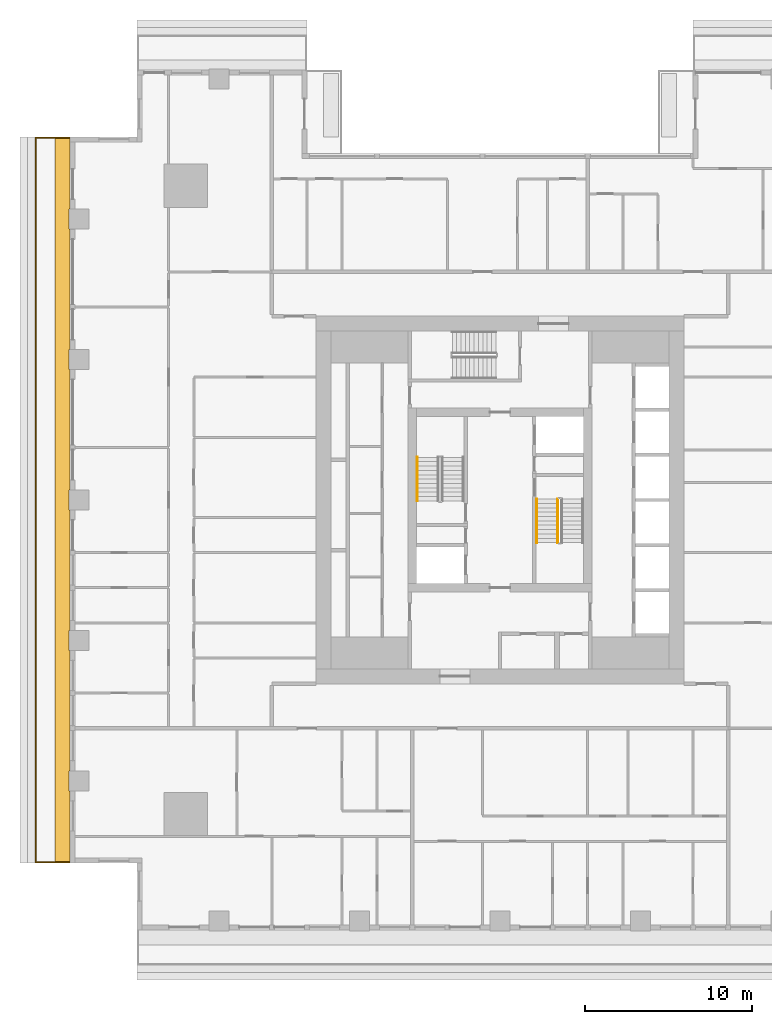
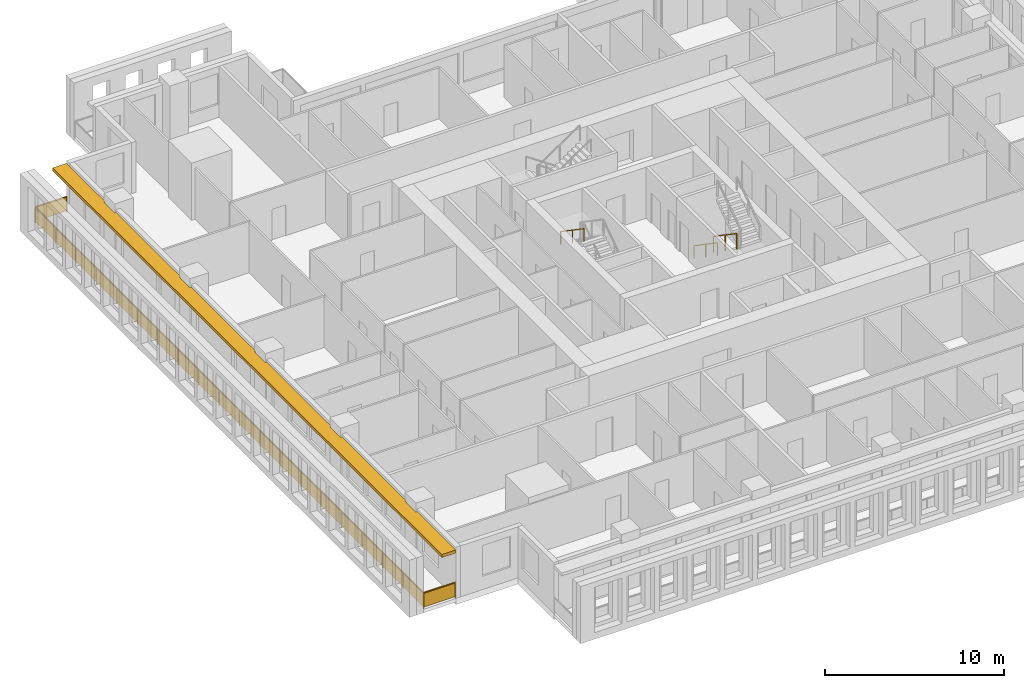
# One storey, part 11 of 15: 4 railings, 1 shading device.
"""IFC4 building model written with IfcOpenShell, lengths in metres."""

from ifc_helpers import new_model, si_unit, direction, frame, origin, origin_2d, place, context, subcontext, project, spatial, polyline, rectangle, outline, extrude, material, layer, layer_set, type_object, element, save


model = new_model("IFC4")

# Units and contexts
model_context = context("Model", 3, precision=1e-05, world=origin(), true_north=direction((0.0, 1.0)))
body_context = subcontext(model_context, "Body", "Model", "MODEL_VIEW")
ifc_project = project(units=[si_unit("LENGTHUNIT", "METRE"), si_unit("AREAUNIT", "SQUARE_METRE"), si_unit("VOLUMEUNIT", "CUBIC_METRE"), si_unit("PLANEANGLEUNIT", "RADIAN"), si_unit("MASSUNIT", "GRAM", prefix="KILO")], contexts=[model_context])

# Site, building, storey
site_placement = place(None, origin())
site = spatial("IfcSite", under=ifc_project, at=site_placement, CompositionType="ELEMENT")
building_placement = place(site_placement, origin())
building = spatial("IfcBuilding", under=site, at=building_placement, Name="Khepri Terraces", CompositionType="ELEMENT")
storey_placement = place(building_placement, frame((0.0, 0.0, 165.0)))
storey = spatial("IfcBuildingStorey", under=building, at=storey_placement, Name="L39", CompositionType="ELEMENT", Elevation=165.0)

# Railings
ifc_material_1 = material(Name="Stainless steel grade 316", Category="steel")
railing_type_1 = type_object("IfcRailingType", Name="GRD-BAL-1100", PredefinedType="GUARDRAIL", material=ifc_material_1)
railing_1_placement = place(storey_placement, frame((-25.719970703125, 21.669921875, 0.0)))
element("IfcRailing", 1, at=railing_1_placement, inside=storey, type_object=railing_type_1, Name="Balcony guard L39 W", PredefinedType="GUARDRAIL", context=body_context, shape_type="SweptSolid", body=[
    extrude(rectangle(XDim=0.050048828125, YDim=0.06005859375, at=origin_2d()), frame((0.0, 0.0, 1.070068359375), z_axis=(-1.0, 0.0, 0.0), x_axis=(0.0, -1.0, 0.0)), (0.0, 0.0, 1.0), 2.050048828125),
    extrude(rectangle(XDim=2.0, YDim=0.011962890625, at=origin_2d()), frame((-1.02490234375, 0.0, 0.10009765625), z_axis=(0.0, 0.0, 1.0), x_axis=(-1.0, 0.0, 0.0)), (0.0, 0.0, 1.0), 0.93994140625),
    extrude(rectangle(XDim=0.050048828125, YDim=0.06005859375, at=origin_2d()), frame((-2.050048828125, 0.0, 1.070068359375), z_axis=(0.0, -1.0, 0.0), x_axis=(1.0, 0.0, 0.0)), (0.0, 0.0, 1.0), 43.33984375),
    extrude(rectangle(XDim=2.23095703125, YDim=0.011962890625, at=origin_2d()), frame((-2.050048828125, -1.140625, 0.10009765625), z_axis=(0.0, 0.0, 1.0), x_axis=(0.0, -1.0, 0.0)), (0.0, 0.0, 1.0), 0.93994140625),
    extrude(rectangle(XDim=2.23095703125, YDim=0.011962890625, at=origin_2d()), frame((-2.050048828125, -3.421630859375, 0.10009765625), z_axis=(0.0, 0.0, 1.0), x_axis=(0.0, -1.0, 0.0)), (0.0, 0.0, 1.0), 0.93994140625),
    extrude(rectangle(XDim=2.23095703125, YDim=0.011962890625, at=origin_2d()), frame((-2.050048828125, -5.70263671875, 0.10009765625), z_axis=(0.0, 0.0, 1.0), x_axis=(0.0, -1.0, 0.0)), (0.0, 0.0, 1.0), 0.93994140625),
    extrude(rectangle(XDim=2.23095703125, YDim=0.011962890625, at=origin_2d()), frame((-2.050048828125, -7.983642578125, 0.10009765625), z_axis=(0.0, 0.0, 1.0), x_axis=(0.0, -1.0, 0.0)), (0.0, 0.0, 1.0), 0.93994140625),
    extrude(rectangle(XDim=2.23095703125, YDim=0.011962890625, at=origin_2d()), frame((-2.050048828125, -10.2646484375, 0.10009765625), z_axis=(0.0, 0.0, 1.0), x_axis=(0.0, -1.0, 0.0)), (0.0, 0.0, 1.0), 0.93994140625),
    extrude(rectangle(XDim=2.23095703125, YDim=0.011962890625, at=origin_2d()), frame((-2.050048828125, -12.545654296875, 0.10009765625), z_axis=(0.0, 0.0, 1.0), x_axis=(0.0, -1.0, 0.0)), (0.0, 0.0, 1.0), 0.93994140625),
    extrude(rectangle(XDim=2.23095703125, YDim=0.011962890625, at=origin_2d()), frame((-2.050048828125, -14.826904296875, 0.10009765625), z_axis=(0.0, 0.0, 1.0), x_axis=(0.0, -1.0, 0.0)), (0.0, 0.0, 1.0), 0.93994140625),
    extrude(rectangle(XDim=2.23095703125, YDim=0.011962890625, at=origin_2d()), frame((-2.050048828125, -17.10791015625, 0.10009765625), z_axis=(0.0, 0.0, 1.0), x_axis=(0.0, -1.0, 0.0)), (0.0, 0.0, 1.0), 0.93994140625),
    extrude(rectangle(XDim=2.23095703125, YDim=0.011962890625, at=origin_2d()), frame((-2.050048828125, -19.388916015625, 0.10009765625), z_axis=(0.0, 0.0, 1.0), x_axis=(0.0, -1.0, 0.0)), (0.0, 0.0, 1.0), 0.93994140625),
    extrude(rectangle(XDim=2.23095703125, YDim=0.011962890625, at=origin_2d()), frame((-2.050048828125, -21.669921875, 0.10009765625), z_axis=(0.0, 0.0, 1.0), x_axis=(0.0, -1.0, 0.0)), (0.0, 0.0, 1.0), 0.93994140625),
    extrude(rectangle(XDim=2.23095703125, YDim=0.011962890625, at=origin_2d()), frame((-2.050048828125, -23.950927734375, 0.10009765625), z_axis=(0.0, 0.0, 1.0), x_axis=(0.0, -1.0, 0.0)), (0.0, 0.0, 1.0), 0.93994140625),
    extrude(rectangle(XDim=2.23095703125, YDim=0.011962890625, at=origin_2d()), frame((-2.050048828125, -26.23193359375, 0.10009765625), z_axis=(0.0, 0.0, 1.0), x_axis=(0.0, -1.0, 0.0)), (0.0, 0.0, 1.0), 0.93994140625),
    extrude(rectangle(XDim=2.23095703125, YDim=0.011962890625, at=origin_2d()), frame((-2.050048828125, -28.512939453125, 0.10009765625), z_axis=(0.0, 0.0, 1.0), x_axis=(0.0, -1.0, 0.0)), (0.0, 0.0, 1.0), 0.93994140625),
    extrude(rectangle(XDim=2.23095703125, YDim=0.011962890625, at=origin_2d()), frame((-2.050048828125, -30.794189453125, 0.10009765625), z_axis=(0.0, 0.0, 1.0), x_axis=(0.0, -1.0, 0.0)), (0.0, 0.0, 1.0), 0.93994140625),
    extrude(rectangle(XDim=2.23095703125, YDim=0.011962890625, at=origin_2d()), frame((-2.050048828125, -33.0751953125, 0.10009765625), z_axis=(0.0, 0.0, 1.0), x_axis=(0.0, -1.0, 0.0)), (0.0, 0.0, 1.0), 0.93994140625),
    extrude(rectangle(XDim=2.23095703125, YDim=0.011962890625, at=origin_2d()), frame((-2.050048828125, -35.356201171875, 0.10009765625), z_axis=(0.0, 0.0, 1.0), x_axis=(0.0, -1.0, 0.0)), (0.0, 0.0, 1.0), 0.93994140625),
    extrude(rectangle(XDim=2.23095703125, YDim=0.011962890625, at=origin_2d()), frame((-2.050048828125, -37.63720703125, 0.10009765625), z_axis=(0.0, 0.0, 1.0), x_axis=(0.0, -1.0, 0.0)), (0.0, 0.0, 1.0), 0.93994140625),
    extrude(rectangle(XDim=2.23095703125, YDim=0.011962890625, at=origin_2d()), frame((-2.050048828125, -39.918212890625, 0.10009765625), z_axis=(0.0, 0.0, 1.0), x_axis=(0.0, -1.0, 0.0)), (0.0, 0.0, 1.0), 0.93994140625),
    extrude(rectangle(XDim=2.23095703125, YDim=0.011962890625, at=origin_2d()), frame((-2.050048828125, -42.19921875, 0.10009765625), z_axis=(0.0, 0.0, 1.0), x_axis=(0.0, -1.0, 0.0)), (0.0, 0.0, 1.0), 0.93994140625),
    extrude(rectangle(XDim=0.050048828125, YDim=0.06005859375, at=origin_2d()), frame((-2.050048828125, -43.33984375, 1.070068359375), z_axis=(1.0, 0.0, 0.0), x_axis=(0.0, 1.0, 0.0)), (0.0, 0.0, 1.0), 2.050048828125),
    extrude(rectangle(XDim=2.0, YDim=0.011962890625, at=origin_2d()), frame((-1.02490234375, -43.33984375, 0.10009765625), z_axis=(0.0, 0.0, 1.0), x_axis=(1.0, 0.0, 0.0)), (0.0, 0.0, 1.0), 0.93994140625),
    extrude(rectangle(XDim=0.050048828125, YDim=0.050048828125, at=origin_2d()), origin(), (0.0, 0.0, 1.0), 1.0400390625),
    extrude(rectangle(XDim=0.050048828125, YDim=0.050048828125, at=origin_2d()), frame((-2.050048828125, 0.0, 0.0)), (0.0, 0.0, 1.0), 1.0400390625),
    extrude(rectangle(XDim=0.050048828125, YDim=0.050048828125, at=origin_2d()), frame((-2.050048828125, -2.281005859375, 0.0)), (0.0, 0.0, 1.0), 1.0400390625),
    extrude(rectangle(XDim=0.050048828125, YDim=0.050048828125, at=origin_2d()), frame((-2.050048828125, -4.56201171875, 0.0)), (0.0, 0.0, 1.0), 1.0400390625),
    extrude(rectangle(XDim=0.050048828125, YDim=0.050048828125, at=origin_2d()), frame((-2.050048828125, -6.843017578125, 0.0)), (0.0, 0.0, 1.0), 1.0400390625),
    extrude(rectangle(XDim=0.050048828125, YDim=0.050048828125, at=origin_2d()), frame((-2.050048828125, -9.124267578125, 0.0)), (0.0, 0.0, 1.0), 1.0400390625),
    extrude(rectangle(XDim=0.050048828125, YDim=0.050048828125, at=origin_2d()), frame((-2.050048828125, -11.4052734375, 0.0)), (0.0, 0.0, 1.0), 1.0400390625),
    extrude(rectangle(XDim=0.050048828125, YDim=0.050048828125, at=origin_2d()), frame((-2.050048828125, -13.686279296875, 0.0)), (0.0, 0.0, 1.0), 1.0400390625),
    extrude(rectangle(XDim=0.050048828125, YDim=0.050048828125, at=origin_2d()), frame((-2.050048828125, -15.96728515625, 0.0)), (0.0, 0.0, 1.0), 1.0400390625),
    extrude(rectangle(XDim=0.050048828125, YDim=0.050048828125, at=origin_2d()), frame((-2.050048828125, -18.248291015625, 0.0)), (0.0, 0.0, 1.0), 1.0400390625),
    extrude(rectangle(XDim=0.050048828125, YDim=0.050048828125, at=origin_2d()), frame((-2.050048828125, -20.529296875, 0.0)), (0.0, 0.0, 1.0), 1.0400390625),
    extrude(rectangle(XDim=0.050048828125, YDim=0.050048828125, at=origin_2d()), frame((-2.050048828125, -22.810546875, 0.0)), (0.0, 0.0, 1.0), 1.0400390625),
    extrude(rectangle(XDim=0.050048828125, YDim=0.050048828125, at=origin_2d()), frame((-2.050048828125, -25.091552734375, 0.0)), (0.0, 0.0, 1.0), 1.0400390625),
    extrude(rectangle(XDim=0.050048828125, YDim=0.050048828125, at=origin_2d()), frame((-2.050048828125, -27.37255859375, 0.0)), (0.0, 0.0, 1.0), 1.0400390625),
    extrude(rectangle(XDim=0.050048828125, YDim=0.050048828125, at=origin_2d()), frame((-2.050048828125, -29.653564453125, 0.0)), (0.0, 0.0, 1.0), 1.0400390625),
    extrude(rectangle(XDim=0.050048828125, YDim=0.050048828125, at=origin_2d()), frame((-2.050048828125, -31.9345703125, 0.0)), (0.0, 0.0, 1.0), 1.0400390625),
    extrude(rectangle(XDim=0.050048828125, YDim=0.050048828125, at=origin_2d()), frame((-2.050048828125, -34.215576171875, 0.0)), (0.0, 0.0, 1.0), 1.0400390625),
    extrude(rectangle(XDim=0.050048828125, YDim=0.050048828125, at=origin_2d()), frame((-2.050048828125, -36.496826171875, 0.0)), (0.0, 0.0, 1.0), 1.0400390625),
    extrude(rectangle(XDim=0.050048828125, YDim=0.050048828125, at=origin_2d()), frame((-2.050048828125, -38.77783203125, 0.0)), (0.0, 0.0, 1.0), 1.0400390625),
    extrude(rectangle(XDim=0.050048828125, YDim=0.050048828125, at=origin_2d()), frame((-2.050048828125, -41.058837890625, 0.0)), (0.0, 0.0, 1.0), 1.0400390625),
    extrude(rectangle(XDim=0.050048828125, YDim=0.050048828125, at=origin_2d()), frame((-2.050048828125, -43.33984375, 0.0)), (0.0, 0.0, 1.0), 1.0400390625),
    extrude(rectangle(XDim=0.050048828125, YDim=0.050048828125, at=origin_2d()), frame((0.0, -43.33984375, 0.0)), (0.0, 0.0, 1.0), 1.0400390625),
])
ifc_material_2 = material(Name="Stainless steel 316", Category="steel")
railing_type_2 = type_object("IfcRailingType", Name="RL-CORE-GUARD", PredefinedType="GUARDRAIL", material=ifc_material_2)
railing_2_placement = place(storey_placement, frame((3.449951171875, 0.050048828125, 0.17724609375)))
element("IfcRailing", 2, at=railing_2_placement, inside=storey, type_object=railing_type_2, Name="L39 ST-2 stair guard 1", PredefinedType="GUARDRAIL", context=body_context, shape_type="SweptSolid", body=[
    extrude(rectangle(XDim=0.050048828125, YDim=0.06005859375, at=origin_2d()), frame((0.0, 0.0, 1.070068359375), z_axis=(0.0, -0.826240473404, 0.563317565952), x_axis=(1.0, 0.0, 0.0)), (0.0, 0.0, 1.0), 3.14697265625),
    extrude(rectangle(XDim=0.050048828125, YDim=0.050048828125, at=origin_2d()), origin(), (0.0, 0.0, 1.0), 1.0400390625),
    extrude(rectangle(XDim=0.050048828125, YDim=0.050048828125, at=origin_2d()), frame((0.0, -1.300048828125, 0.88623046875)), (0.0, 0.0, 1.0), 1.0400390625),
    extrude(rectangle(XDim=0.050048828125, YDim=0.050048828125, at=origin_2d()), frame((0.0, -2.60009765625, 1.772705078125)), (0.0, 0.0, 1.0), 1.0400390625),
])
railing_type_3 = type_object("IfcRailingType", Name="RL-CORE-HANDRAIL", PredefinedType="HANDRAIL", material=ifc_material_2)
for number, where, name in (
    (3, (-4.949951171875, 2.550048828125, 2.127197265625), "L39 ST-1 stair handrail 2"),
    (4, (2.199951171875, 0.050048828125, 0.17724609375), "L39 ST-2 stair handrail 1"),
):
    element("IfcRailing", number, at=place(storey_placement, frame(where)), inside=storey, type_object=railing_type_3, Name=name, PredefinedType="HANDRAIL", context=body_context, shape_type="SweptSolid", body=[
        extrude(rectangle(XDim=0.050048828125, YDim=0.050048828125, at=origin_2d()), frame((0.0, 0.0, 0.875), z_axis=(0.0, -0.826240473404, 0.563317565952), x_axis=(1.0, 0.0, 0.0)), (0.0, 0.0, 1.0), 3.14697265625),
        extrude(rectangle(XDim=0.050048828125, YDim=0.050048828125, at=origin_2d()), origin(), (0.0, 0.0, 1.0), 0.849853515625),
        extrude(rectangle(XDim=0.050048828125, YDim=0.050048828125, at=origin_2d()), frame((0.0, -1.300048828125, 0.88623046875)), (0.0, 0.0, 1.0), 0.849853515625),
        extrude(rectangle(XDim=0.050048828125, YDim=0.050048828125, at=origin_2d()), frame((0.0, -2.60009765625, 1.772705078125)), (0.0, 0.0, 1.0), 0.849853515625),
    ])

# Shading device
ifc_material_3 = material(Name="Precast concrete C50/60 warm stone", Category="masonry")
ifc_layer = layer(ifc_material_3, 0.199951171875, Name="Precast concrete C50/60 warm stone", Category="masonry")
ifc_layer_set = layer_set([ifc_layer], Name="Precast concrete C50/60 warm stone")
shading_device_type = type_object("IfcShadingDeviceType", Name="SSH-BAND-STONE-200", PredefinedType="USERDEFINED", material=ifc_layer_set)
shading_device_placement = place(storey_placement, frame((0.0, 0.0, 3.10009765625)))
element("IfcShadingDevice", 5, at=shading_device_placement, inside=storey, type_object=shading_device_type, Name="Sunshade band L39 W", ObjectType="SUNSHADE", PredefinedType="USERDEFINED", context=body_context, shape_type="SweptSolid", body=[
    extrude(outline(polyline([(-25.719970703125, 17.39990234375), (-25.719970703125, 21.719970703125), (-26.6201171875, 21.719970703125), (-26.6201171875, -21.719970703125), (-25.719970703125, -21.719970703125), (-25.719970703125, -17.39990234375), (-25.800048828125, -17.39990234375), (-25.800048828125, -16.199951171875), (-25.719970703125, -16.199951171875), (-25.719970703125, -9.0), (-25.800048828125, -9.0), (-25.800048828125, -7.800048828125), (-25.719970703125, -7.800048828125), (-25.719970703125, -0.60009765625), (-25.800048828125, -0.60009765625), (-25.800048828125, 0.60009765625), (-25.719970703125, 0.60009765625), (-25.719970703125, 7.800048828125), (-25.800048828125, 7.800048828125), (-25.800048828125, 9.0), (-25.719970703125, 9.0), (-25.719970703125, 16.199951171875), (-25.800048828125, 16.199951171875), (-25.800048828125, 17.39990234375), (-25.719970703125, 17.39990234375)])), origin(), (0.0, 0.0, 1.0), 0.199951171875),
])

save(model, "model.ifc")
